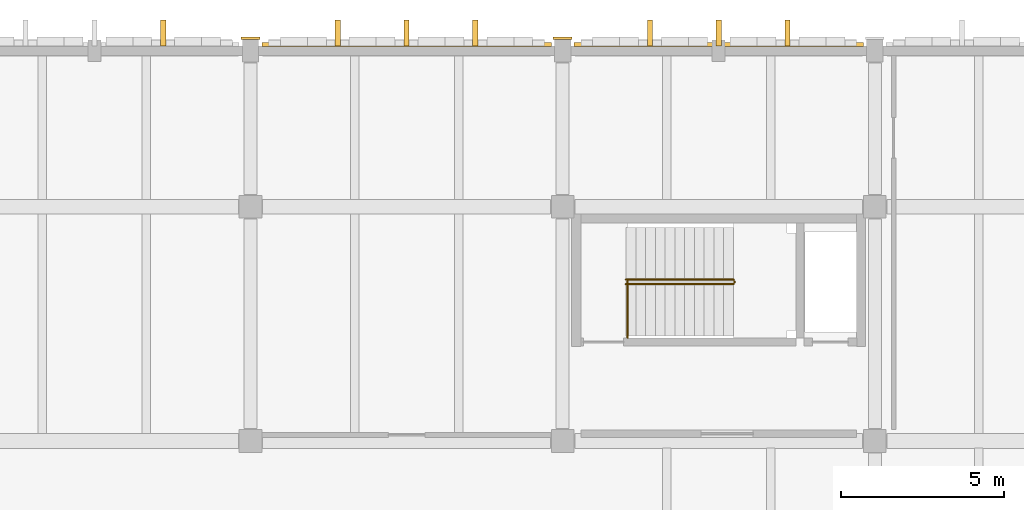
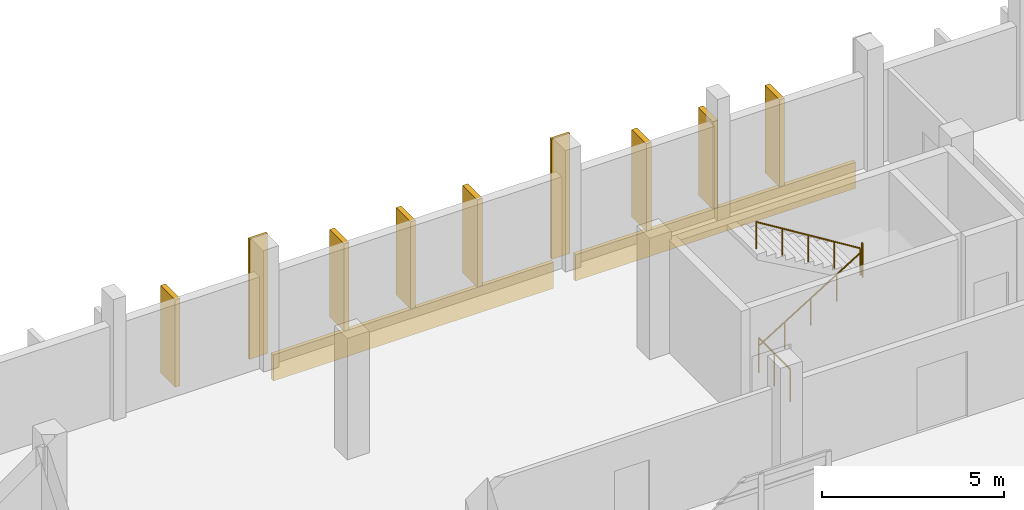
# One storey, part 130 of 134: 11 coverings, 4 railings.
"""IFC4 building model written with IfcOpenShell, lengths in metres."""

from ifc_helpers import new_model, si_unit, direction, frame, origin, origin_2d, place, context, subcontext, project, spatial, rectangle, circle, extrude, material, layer, layer_set, type_object, element, save


model = new_model("IFC4")

# Units and contexts
model_context = context("Model", 3, precision=1e-05, world=origin(), true_north=direction((0.0, 1.0)))
body_context = subcontext(model_context, "Body", "Model", "MODEL_VIEW")
ifc_project = project(units=[si_unit("LENGTHUNIT", "METRE"), si_unit("AREAUNIT", "SQUARE_METRE"), si_unit("VOLUMEUNIT", "CUBIC_METRE"), si_unit("PLANEANGLEUNIT", "RADIAN"), si_unit("MASSUNIT", "GRAM", prefix="KILO")], contexts=[model_context])

# Site, building, storey
site_placement = place(None, origin())
site = spatial("IfcSite", under=ifc_project, at=site_placement, CompositionType="ELEMENT")
building_placement = place(site_placement, origin())
building = spatial("IfcBuilding", under=site, at=building_placement, Name="Asteropetra Specialist Clinic", CompositionType="ELEMENT")
storey_placement = place(building_placement, frame((0.0, 0.0, 8.5)))
storey = spatial("IfcBuildingStorey", under=building, at=storey_placement, Name="L02", CompositionType="ELEMENT", Elevation=8.5)

# Coverings
ifc_material_1 = material(Name="Chevron terracotta mid", Category="masonry")
ifc_layer_1 = layer(ifc_material_1, 0.1201171875)
ifc_layer_set_1 = layer_set([ifc_layer_1], Name="Chevron terracotta mid")
covering_type_1 = type_object("IfcCoveringType", Name="CLD-TER-MID", PredefinedType="CLADDING", material=ifc_layer_set_1)
for number, where, z_axis, x_axis, name in (
    (1, (24.0, 110.590087890625, -0.800048828125), (0.0, 0.0, 1.0), (1.0, 0.0, 0.0), "Chevron Spandrel Band CV-1427"),
    (2, (33.60009765625, 110.590087890625, -0.800048828125), (0.0, 0.0, 1.0), (1.0, 0.0, 0.0), "Chevron Spandrel Band CV-1429"),
):
    element("IfcCovering", number, at=place(storey_placement, frame(where, z_axis=z_axis, x_axis=x_axis)), inside=storey, type_object=covering_type_1, Name=name, PredefinedType="CLADDING", context=body_context, shape_type="SweptSolid", body=[
        extrude(rectangle(XDim=8.89990234375, YDim=0.1201171875, at=origin_2d()), origin(), (0.0, 0.0, 1.0), 0.8798828125),
    ])
ifc_material_2 = material(Name="Pentelic marble ashlar", Category="masonry")
ifc_layer_2 = layer(ifc_material_2, 0.159912109375)
ifc_layer_set_2 = layer_set([ifc_layer_2], Name="Pentelic marble ashlar")
covering_type_2 = type_object("IfcCoveringType", Name="CRN-ENTAB-600", PredefinedType="MOLDING", material=ifc_layer_set_2)
for number, where, z_axis, x_axis, name in (
    (3, (19.199951171875, 110.781982421875, 0.02001953125), (0.0, 0.0, 1.0), (1.0, 0.0, 0.0), "Neoclassical Pilaster Facing CM-0661"),
    (4, (28.800048828125, 110.781982421875, 0.02001953125), (0.0, 0.0, 1.0), (1.0, 0.0, 0.0), "Neoclassical Pilaster Facing CM-0663"),
):
    element("IfcCovering", number, at=place(storey_placement, frame(where, z_axis=z_axis, x_axis=x_axis)), inside=storey, type_object=covering_type_2, Name=name, PredefinedType="MOLDING", context=body_context, shape_type="SweptSolid", body=[
        extrude(rectangle(XDim=0.580078125, YDim=0.080078125, at=origin_2d()), origin(), (0.0, 0.0, 1.0), 4.0400390625),
    ])
ifc_material_3 = material(Name="Pentelic marble solar fin", Category="masonry")
ifc_layer_3 = layer(ifc_material_3, 0.080078125)
ifc_layer_set_3 = layer_set([ifc_layer_3], Name="Pentelic marble solar fin")
covering_type_3 = type_object("IfcCoveringType", Name="FIN-SOLAR-800", PredefinedType="MOLDING", material=ifc_layer_set_3)
for number, where, z_axis, x_axis, name in (
    (5, (16.514892578125, 110.945068359375, 0.070068359375), (0.0, 0.0, 1.0), (1.0, 0.0, 0.0), "Solar Shading Fin FN-0052"),
    (6, (26.114990234375, 110.945068359375, 0.070068359375), (0.0, 0.0, 1.0), (1.0, 0.0, 0.0), "Solar Shading Fin FN-0055"),
    (7, (24.0, 110.945068359375, 0.070068359375), (0.0, 0.0, 1.0), (1.0, 0.0, 0.0), "Solar Shading Fin FN-0056"),
    (8, (21.885009765625, 110.945068359375, 0.070068359375), (0.0, 0.0, 1.0), (1.0, 0.0, 0.0), "Solar Shading Fin FN-0057"),
    (9, (35.715087890625, 110.945068359375, 0.070068359375), (0.0, 0.0, 1.0), (1.0, 0.0, 0.0), "Solar Shading Fin FN-0060"),
    (10, (33.60009765625, 110.945068359375, 0.070068359375), (0.0, 0.0, 1.0), (1.0, 0.0, 0.0), "Solar Shading Fin FN-0061"),
    (11, (31.485107421875, 110.945068359375, 0.070068359375), (0.0, 0.0, 1.0), (1.0, 0.0, 0.0), "Solar Shading Fin FN-0062"),
):
    element("IfcCovering", number, at=place(storey_placement, frame(where, z_axis=z_axis, x_axis=x_axis)), inside=storey, type_object=covering_type_3, Name=name, PredefinedType="MOLDING", context=body_context, shape_type="SweptSolid", body=[
        extrude(rectangle(XDim=0.159912109375, YDim=0.800048828125, at=origin_2d()), origin(), (0.0, 0.0, 1.0), 2.93994140625),
    ])

# Railings
ifc_material_4 = material(Name="Steel S355 and laminated glass guard", Category="steel")
railing_type_1 = type_object("IfcRailingType", Name="GRD-INT-1120", PredefinedType="GUARDRAIL", material=ifc_material_4)
railing_1_placement = place(storey_placement, frame((30.800048828125, 101.580078125, 0.0)))
element("IfcRailing", 12, at=railing_1_placement, inside=storey, type_object=railing_type_1, Name="Stair Well Guard ST02-L01", PredefinedType="GUARDRAIL", context=body_context, shape_type="SweptSolid", body=[
    extrude(circle(Radius=0.02392578125, at=origin_2d()), frame((0.0, 0.0, 1.09619140625), z_axis=(0.0, 1.0, 0.0), x_axis=(-1.0, 0.0, 0.0)), (0.0, 0.0, 1.0), 1.72998046875),
    extrude(circle(Radius=0.02099609375, at=origin_2d()), origin(), (0.0, 0.0, 1.0), 1.072021484375),
    extrude(circle(Radius=0.02099609375, at=origin_2d()), frame((0.0, 0.864990234375, 0.0)), (0.0, 0.0, 1.0), 1.072021484375),
    extrude(circle(Radius=0.02099609375, at=origin_2d()), frame((0.0, 1.72998046875, 0.0)), (0.0, 0.0, 1.0), 1.072021484375),
])
railing_2_placement = place(storey_placement, frame((34.080078125, 103.27001953125, 2.0400390625)))
element("IfcRailing", 13, at=railing_2_placement, inside=storey, type_object=railing_type_1, Name="Landing Slot Guard ST02-L02", PredefinedType="GUARDRAIL", context=body_context, shape_type="SweptSolid", body=[
    extrude(circle(Radius=0.02392578125, at=origin_2d()), frame((0.0, 0.0, 1.09619140625), z_axis=(0.0, 1.0, 0.0), x_axis=(-1.0, 0.0, 0.0)), (0.0, 0.0, 1.0), 0.0400390625),
    extrude(circle(Radius=0.02099609375, at=origin_2d()), origin(), (0.0, 0.0, 1.0), 1.072021484375),
    extrude(circle(Radius=0.02099609375, at=origin_2d()), frame((0.0, 0.0400390625, 0.0)), (0.0, 0.0, 1.0), 1.072021484375),
])
ifc_material_5 = material(Name="Brushed stainless steel handrail", Category="steel")
railing_type_2 = type_object("IfcRailingType", Name="HRL-STAIR-920", PredefinedType="HANDRAIL", material=ifc_material_5)
railing_3_placement = place(storey_placement, frame((30.75, 103.219970703125, 0.0)))
element("IfcRailing", 14, at=railing_3_placement, inside=storey, type_object=railing_type_2, Name="Stair Handrail ST02-L02 F1", PredefinedType="HANDRAIL", context=body_context, shape_type="SweptSolid", body=[
    extrude(circle(Radius=0.02392578125, at=origin_2d()), frame((0.0, 0.0, 0.89599609375), z_axis=(0.850593546085, 0.0, 0.525823753132), x_axis=(0.0, 1.0, 0.0)), (0.0, 0.0, 1.0), 3.879638671875),
    extrude(circle(Radius=0.02099609375, at=origin_2d()), origin(), (0.0, 0.0, 1.0), 0.871826171875),
    extrude(circle(Radius=0.02099609375, at=origin_2d()), frame((0.824951171875, 0.0, 0.510009765625)), (0.0, 0.0, 1.0), 0.871826171875),
    extrude(circle(Radius=0.02099609375, at=origin_2d()), frame((1.64990234375, 0.0, 1.02001953125)), (0.0, 0.0, 1.0), 0.871826171875),
    extrude(circle(Radius=0.02099609375, at=origin_2d()), frame((2.47509765625, 0.0, 1.530029296875)), (0.0, 0.0, 1.0), 0.871826171875),
    extrude(circle(Radius=0.02099609375, at=origin_2d()), frame((3.300048828125, 0.0, 2.0400390625)), (0.0, 0.0, 1.0), 0.871826171875),
])
railing_4_placement = place(storey_placement, frame((34.050048828125, 103.360107421875, 2.0400390625)))
element("IfcRailing", 15, at=railing_4_placement, inside=storey, type_object=railing_type_2, Name="Stair Handrail ST02-L02 F2", PredefinedType="HANDRAIL", context=body_context, shape_type="SweptSolid", body=[
    extrude(circle(Radius=0.02392578125, at=origin_2d()), frame((0.0, 0.0, 0.89599609375), z_axis=(-0.850593546085, 0.0, 0.525823753132), x_axis=(0.0, -1.0, 0.0)), (0.0, 0.0, 1.0), 3.879638671875),
    extrude(circle(Radius=0.02099609375, at=origin_2d()), origin(), (0.0, 0.0, 1.0), 0.871826171875),
    extrude(circle(Radius=0.02099609375, at=origin_2d()), frame((-0.824951171875, 0.0, 0.510009765625)), (0.0, 0.0, 1.0), 0.871826171875),
    extrude(circle(Radius=0.02099609375, at=origin_2d()), frame((-1.64990234375, 0.0, 1.02001953125)), (0.0, 0.0, 1.0), 0.871826171875),
    extrude(circle(Radius=0.02099609375, at=origin_2d()), frame((-2.47509765625, 0.0, 1.530029296875)), (0.0, 0.0, 1.0), 0.871826171875),
    extrude(circle(Radius=0.02099609375, at=origin_2d()), frame((-3.300048828125, 0.0, 2.0400390625)), (0.0, 0.0, 1.0), 0.871826171875),
])

save(model, "model.ifc")
